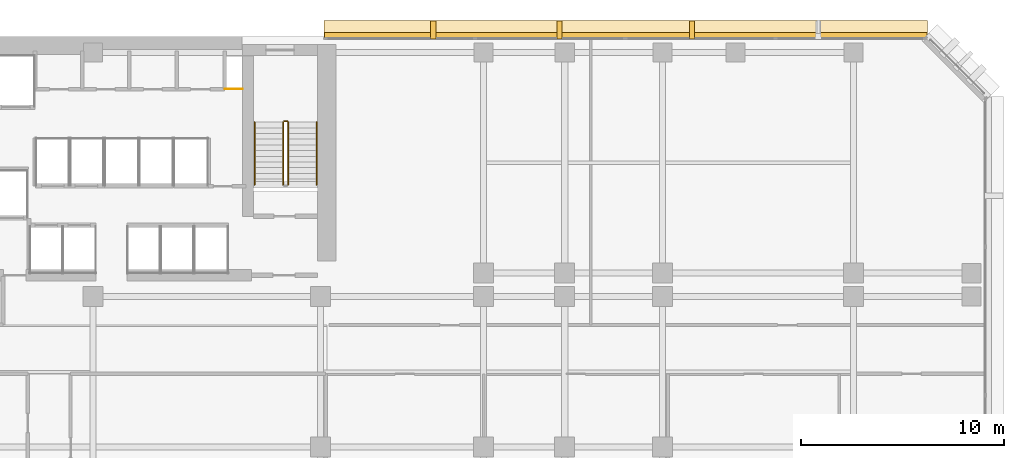
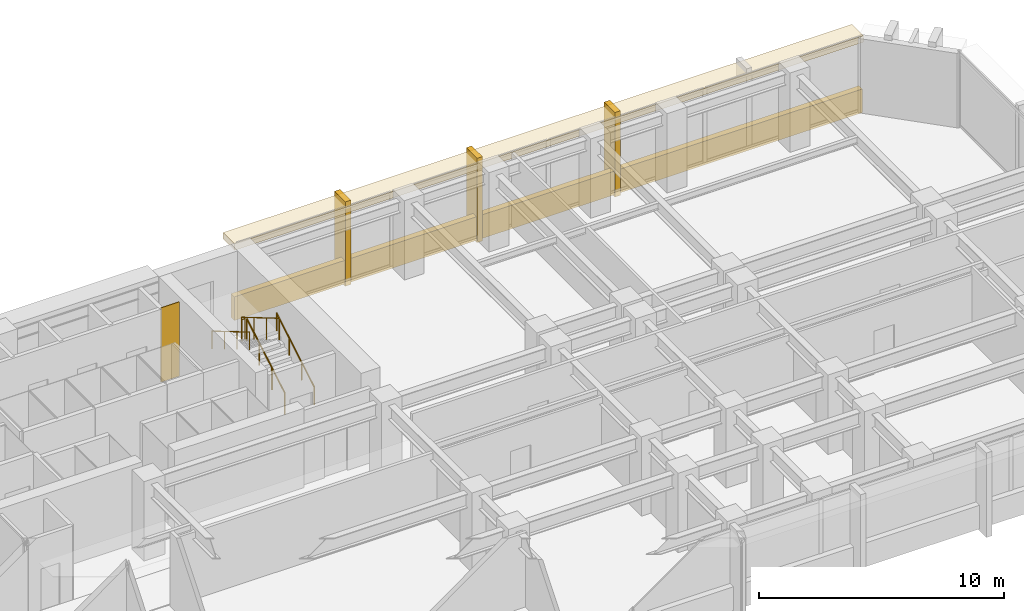
# One storey, part 13 of 14: 6 coverings, 5 railings.
"""IFC4 building model written with IfcOpenShell, lengths in metres."""

from ifc_helpers import new_model, si_unit, direction, frame, origin, origin_2d, place, context, subcontext, project, spatial, polyline, rectangle, circle, outline, extrude, material, layer, layer_set, type_object, element, save


model = new_model("IFC4")

# Units and contexts
model_context = context("Model", 3, precision=1e-05, world=origin(), true_north=direction((0.0, 1.0)))
body_context = subcontext(model_context, "Body", "Model", "MODEL_VIEW")
ifc_project = project(units=[si_unit("LENGTHUNIT", "METRE"), si_unit("AREAUNIT", "SQUARE_METRE"), si_unit("VOLUMEUNIT", "CUBIC_METRE"), si_unit("PLANEANGLEUNIT", "RADIAN"), si_unit("MASSUNIT", "GRAM", prefix="KILO")], contexts=[model_context])

# Site, building, storey
site_placement = place(None, origin())
site = spatial("IfcSite", under=ifc_project, at=site_placement, CompositionType="ELEMENT")
building_placement = place(site_placement, origin())
building = spatial("IfcBuilding", under=site, at=building_placement, Name="Kefirva Bronze Tower", CompositionType="ELEMENT")
storey_placement = place(building_placement, frame((0.0, 0.0, 50.159912109375)))
storey = spatial("IfcBuildingStorey", under=building, at=storey_placement, Name="L11", CompositionType="ELEMENT", Elevation=50.159912109375)

# Coverings
ifc_material_1 = material(Name="Bronze anodised aluminium", Category="aluminium")
ifc_layer_1 = layer(ifc_material_1, 0.02001953125, Name="Bronze anodised aluminium")
ifc_layer_set_1 = layer_set([ifc_layer_1], Name="Bronze anodised aluminium")
covering_type_1 = type_object("IfcCoveringType", Name="Anodised Bronze Spandrel Cladding 20mm", PredefinedType="CLADDING", material=ifc_layer_set_1)
covering_1_placement = place(storey_placement, frame((38.202392578125, 46.0400390625, -0.15966796875), z_axis=(0.0, 0.0, 1.0), x_axis=(-1.0, 0.0, 0.0)))
element("IfcCovering", 1, at=covering_1_placement, inside=storey, type_object=covering_type_1, Name="L11 Streamline Horizontal Spandrel Band 12", PredefinedType="CLADDING", context=body_context, shape_type="SweptSolid", body=[
    extrude(rectangle(XDim=29.635009765625, YDim=0.280029296875, at=origin_2d()), origin(), (0.0, 0.0, 1.0), 1.179931640625),
])
covering_2_placement = place(storey_placement, origin())
element("IfcCovering", 2, at=covering_2_placement, inside=storey, type_object=covering_type_1, Name="L11 Core MEP Riser Shaft Liner South", PredefinedType="CLADDING", context=body_context, shape_type="SweptSolid", body=[
    extrude(outline(polyline([(18.47998046875, 43.39990234375), (19.360107421875, 43.39990234375), (19.360107421875, 43.429931640625), (18.47998046875, 43.429931640625), (18.47998046875, 43.39990234375)])), origin(), (0.0, 0.0, 1.0), 3.710205078125),
])

# Railings
ifc_material_2 = material(Name="Stainless steel 316", Category="steel")
railing_type_1 = type_object("IfcRailingType", Name="Interior Stair Guardrail 1100mm", PredefinedType="GUARDRAIL", material=ifc_material_2)
railing_1_placement = place(storey_placement, frame((21.60009765625, 38.699951171875, 0.1650390625)))
element("IfcRailing", 3, at=railing_1_placement, inside=storey, type_object=railing_type_1, Name="L11 ST-2 stair guard 1", PredefinedType="GUARDRAIL", context=body_context, shape_type="SweptSolid", body=[
    extrude(circle(Radius=0.02392578125, at=origin_2d()), frame((0.0, 0.0, 1.076171875), z_axis=(0.0, 0.861551262678, 0.507670583921), x_axis=(-1.0, 0.0, 0.0)), (0.0, 0.0, 1.0), 3.574951171875),
    extrude(circle(Radius=0.02099609375, at=origin_2d()), origin(), (0.0, 0.0, 1.0), 1.052001953125),
    extrude(circle(Radius=0.02099609375, at=origin_2d()), frame((0.0, 1.026611328125, 0.60498046875)), (0.0, 0.0, 1.0), 1.052001953125),
    extrude(circle(Radius=0.02099609375, at=origin_2d()), frame((0.0, 2.053466796875, 1.2099609375)), (0.0, 0.0, 1.0), 1.052001953125),
    extrude(circle(Radius=0.02099609375, at=origin_2d()), frame((0.0, 3.080078125, 1.81494140625)), (0.0, 0.0, 1.0), 1.052001953125),
])
railing_2_placement = place(storey_placement, frame((21.550048828125, 41.830078125, 1.97998046875)))
element("IfcRailing", 4, at=railing_2_placement, inside=storey, type_object=railing_type_1, Name="L11 ST-2 stair guard 2", PredefinedType="GUARDRAIL", context=body_context, shape_type="SweptSolid", body=[
    extrude(circle(Radius=0.02392578125, at=origin_2d()), frame((0.0, 0.0, 1.076171875), z_axis=(-1.0, 0.0, 0.0), x_axis=(0.0, -1.0, 0.0)), (0.0, 0.0, 1.0), 0.150146484375),
    extrude(circle(Radius=0.02099609375, at=origin_2d()), origin(), (0.0, 0.0, 1.0), 1.052001953125),
    extrude(circle(Radius=0.02099609375, at=origin_2d()), frame((-0.150146484375, 0.0, 0.0)), (0.0, 0.0, 1.0), 1.052001953125),
])
railing_3_placement = place(storey_placement, frame((21.35009765625, 41.780029296875, 2.14501953125)))
element("IfcRailing", 5, at=railing_3_placement, inside=storey, type_object=railing_type_1, Name="L11 ST-2 stair guard 3", PredefinedType="GUARDRAIL", context=body_context, shape_type="SweptSolid", body=[
    extrude(circle(Radius=0.02392578125, at=origin_2d()), frame((0.0, 0.0, 1.076171875), z_axis=(0.0, -0.861521393093, 0.507721271215), x_axis=(1.0, 0.0, 0.0)), (0.0, 0.0, 1.0), 3.5751953125),
    extrude(circle(Radius=0.02099609375, at=origin_2d()), origin(), (0.0, 0.0, 1.0), 1.052001953125),
    extrude(circle(Radius=0.02099609375, at=origin_2d()), frame((0.0, -1.026611328125, 0.60498046875)), (0.0, 0.0, 1.0), 1.052001953125),
    extrude(circle(Radius=0.02099609375, at=origin_2d()), frame((0.0, -2.053466796875, 1.210205078125)), (0.0, 0.0, 1.0), 1.052001953125),
    extrude(circle(Radius=0.02099609375, at=origin_2d()), frame((0.0, -3.080078125, 1.815185546875)), (0.0, 0.0, 1.0), 1.052001953125),
])
railing_type_2 = type_object("IfcRailingType", Name="Stair Pitch Handrail 900mm", PredefinedType="HANDRAIL", material=ifc_material_2)
railing_4_placement = place(storey_placement, frame((23.0, 38.699951171875, 0.1650390625)))
element("IfcRailing", 6, at=railing_4_placement, inside=storey, type_object=railing_type_2, Name="L11 ST-2 stair handrail 1", PredefinedType="HANDRAIL", context=body_context, shape_type="SweptSolid", body=[
    extrude(circle(Radius=0.02392578125, at=origin_2d()), frame((0.0, 0.0, 0.8759765625), z_axis=(0.0, 0.861551262678, 0.507670583921), x_axis=(-1.0, 0.0, 0.0)), (0.0, 0.0, 1.0), 3.574951171875),
    extrude(circle(Radius=0.02099609375, at=origin_2d()), origin(), (0.0, 0.0, 1.0), 0.851806640625),
    extrude(circle(Radius=0.02099609375, at=origin_2d()), frame((0.0, 1.026611328125, 0.60498046875)), (0.0, 0.0, 1.0), 0.851806640625),
    extrude(circle(Radius=0.02099609375, at=origin_2d()), frame((0.0, 2.053466796875, 1.2099609375)), (0.0, 0.0, 1.0), 0.851806640625),
    extrude(circle(Radius=0.02099609375, at=origin_2d()), frame((0.0, 3.080078125, 1.81494140625)), (0.0, 0.0, 1.0), 0.851806640625),
])
railing_5_placement = place(storey_placement, frame((19.949951171875, 41.780029296875, 2.14501953125)))
element("IfcRailing", 7, at=railing_5_placement, inside=storey, type_object=railing_type_2, Name="L11 ST-2 stair handrail 2", PredefinedType="HANDRAIL", context=body_context, shape_type="SweptSolid", body=[
    extrude(circle(Radius=0.02392578125, at=origin_2d()), frame((0.0, 0.0, 0.8759765625), z_axis=(0.0, -0.861521393093, 0.507721271215), x_axis=(1.0, 0.0, 0.0)), (0.0, 0.0, 1.0), 3.5751953125),
    extrude(circle(Radius=0.02099609375, at=origin_2d()), origin(), (0.0, 0.0, 1.0), 0.851806640625),
    extrude(circle(Radius=0.02099609375, at=origin_2d()), frame((0.0, -1.026611328125, 0.60498046875)), (0.0, 0.0, 1.0), 0.851806640625),
    extrude(circle(Radius=0.02099609375, at=origin_2d()), frame((0.0, -2.053466796875, 1.210205078125)), (0.0, 0.0, 1.0), 0.851806640625),
    extrude(circle(Radius=0.02099609375, at=origin_2d()), frame((0.0, -3.080078125, 1.815185546875)), (0.0, 0.0, 1.0), 0.851806640625),
])

# Coverings
ifc_layer_2 = layer(ifc_material_1, 0.179931640625, Name="Bronze anodised aluminium")
ifc_layer_set_2 = layer_set([ifc_layer_2], Name="Bronze anodised aluminium")
covering_type_2 = type_object("IfcCoveringType", Name="Streamline Bronze Sunshade Eyebrow Cladding 180mm", PredefinedType="CLADDING", material=ifc_layer_set_2)
covering_3_placement = place(storey_placement, frame((38.202392578125, 46.31005859375, 3.39013671875), z_axis=(0.0, 0.0, 1.0), x_axis=(-1.0, 0.0, 0.0)))
element("IfcCovering", 8, at=covering_3_placement, inside=storey, type_object=covering_type_2, Name="L11 Streamline Bronze Sunshade Eyebrow 12", PredefinedType="CLADDING", context=body_context, shape_type="SweptSolid", body=[
    extrude(rectangle(XDim=29.675048828125, YDim=0.93994140625, at=origin_2d()), origin(), (0.0, 0.0, 1.0), 0.320068359375),
])
ifc_layer_3 = layer(ifc_material_1, 0.260009765625, Name="Bronze anodised aluminium")
ifc_layer_set_3 = layer_set([ifc_layer_3], Name="Bronze anodised aluminium")
covering_type_3 = type_object("IfcCoveringType", Name="Unbroken Bronze Buttress Fin Cladding 260mm", PredefinedType="CLADDING", material=ifc_layer_set_3)
for number, where, z_axis, x_axis, name in (
    (9, (41.4580078125, 46.300048828125, -0.25), (0.0, 0.0, 1.0), (-1.0, 0.0, 0.0), "L11 Unbroken Vertical Bronze Rib Fin 20"),
    (10, (34.947021484375, 46.300048828125, -0.25), (0.0, 0.0, 1.0), (-1.0, 0.0, 0.0), "L11 Unbroken Vertical Bronze Rib Fin 21"),
    (11, (28.732177734375, 46.300048828125, -0.25), (0.0, 0.0, 1.0), (-1.0, 0.0, 0.0), "L11 Unbroken Vertical Bronze Rib Fin 22"),
):
    element("IfcCovering", number, at=place(storey_placement, frame(where, z_axis=z_axis, x_axis=x_axis)), inside=storey, type_object=covering_type_3, Name=name, PredefinedType="CLADDING", context=body_context, shape_type="SweptSolid", body=[
        extrude(rectangle(XDim=0.260009765625, YDim=0.8798828125, at=origin_2d()), origin(), (0.0, 0.0, 1.0), 4.2099609375),
    ])

save(model, "model.ifc")
